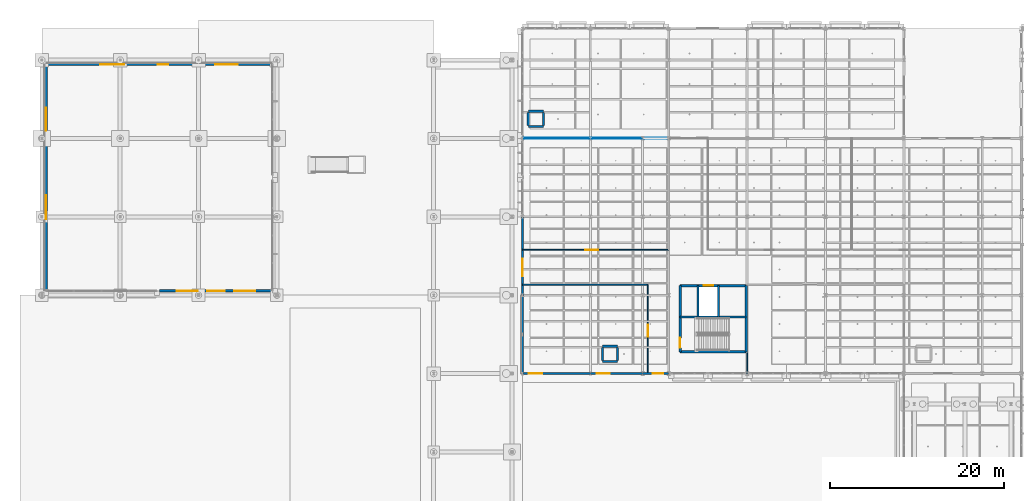
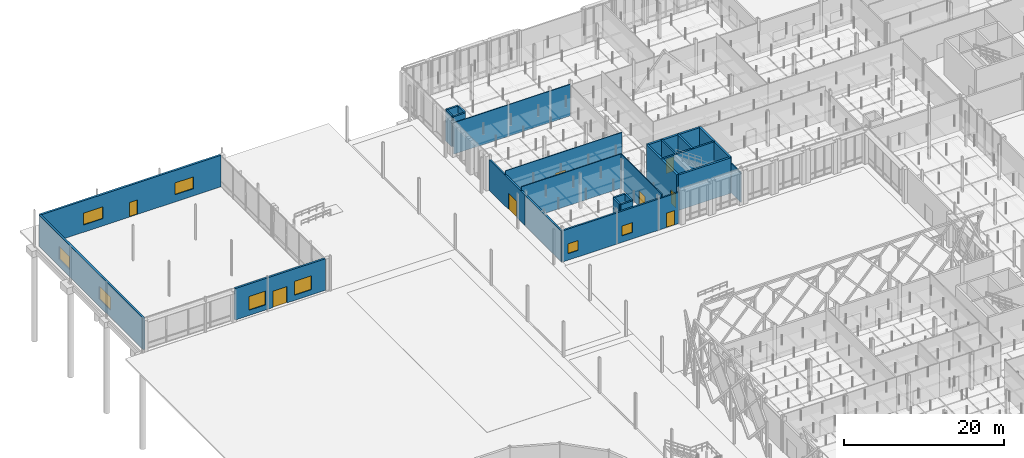
# One storey, part 98 of 180: 28 walls, 8 doors, 8 windows, 16 openings.
"""IFC4 building model written with IfcOpenShell, lengths in metres."""

from ifc_helpers import new_model, si_unit, direction, frame, frame_2d, origin, place, context, subcontext, project, spatial, rectangle, extrude, material, layer, layer_set, type_object, element, fill, save


model = new_model("IFC4")

# Units and contexts
model_context = context("Model", 3, precision=1e-05, world=origin(), true_north=direction((0.0, 1.0)))
body_context = subcontext(model_context, "Body", "Model", "MODEL_VIEW")
ifc_project = project(units=[si_unit("LENGTHUNIT", "METRE"), si_unit("AREAUNIT", "SQUARE_METRE"), si_unit("VOLUMEUNIT", "CUBIC_METRE"), si_unit("PLANEANGLEUNIT", "RADIAN"), si_unit("MASSUNIT", "GRAM", prefix="KILO"), si_unit("THERMODYNAMICTEMPERATUREUNIT", "KELVIN"), si_unit("POWERUNIT", "WATT")], contexts=[model_context])

# Site, building, storey
site_placement = place(None, origin())
site = spatial("IfcSite", under=ifc_project, at=site_placement, CompositionType="ELEMENT")
building_placement = place(site_placement, origin())
building = spatial("IfcBuilding", under=site, at=building_placement, Name="Tallowbark Science Centre", CompositionType="ELEMENT")
storey_placement = place(building_placement, origin())
storey = spatial("IfcBuildingStorey", under=building, at=storey_placement, Name="L00", CompositionType="ELEMENT", Elevation=0.0)

# Wall, opening, door
ifc_material_1 = material(Name="Hawkesbury Sandstone Faced Masonry Cavity Wall", Category="masonry")
ifc_layer_1 = layer(ifc_material_1, 0.22998046875)
ifc_layer_set_1 = layer_set([ifc_layer_1], Name="Hawkesbury Sandstone Faced Masonry Cavity Wall")
wall_type_1 = type_object("IfcWallType", Name="EWL-MAS-230", PredefinedType="STANDARD", material=ifc_layer_set_1)
wall_1_placement = place(storey_placement, frame((69.0, 72.0, 0.0), z_axis=(0.0, 0.0, 1.0), x_axis=(1.0, 0.0, 0.0)))
wall_1 = element("IfcWall", 1, at=wall_1_placement, inside=storey, type_object=wall_type_1, Name="Exterior Wall LAB-S-L00-69", PredefinedType="STANDARD", context=body_context, shape_type="SweptSolid", body=[
    extrude(rectangle(XDim=3.0, YDim=0.22998046875, at=frame_2d((1.5, 0.0))), origin(), (0.0, 0.0, 1.0), 4.74609375),
])
opening_1_placement = place(wall_1_placement, frame((1.14990234375, 0.0, 0.0)))
opening_1 = element("IfcOpeningElement", 2, at=opening_1_placement, cuts=wall_1, Name="Opening ED-06", PredefinedType="OPENING", context=body_context, shape_type="SweptSolid", body=[
    extrude(rectangle(XDim=1.199951171875, YDim=2.199951171875, at=frame_2d((0.60009765625, 1.10009765625))), frame((0.0, 0.125, 0.0), z_axis=(0.0, -1.0, 0.0), x_axis=(1.0, 0.0, 0.0)), (0.0, 0.0, 1.0), 0.25),
])
ifc_material_2 = material(Name="Powdercoated Galvanised Steel Leaf", Category="steel")
door_type_1 = type_object("IfcDoorType", Name="EDR-ESC-120", OperationType="NOTDEFINED", PredefinedType="DOOR", material=ifc_material_2)
door_1_placement = place(opening_1_placement, origin())
door_1 = element("IfcDoor", 3, at=door_1_placement, inside=storey, type_object=door_type_1, Name="Exterior Door EDR-L00-025", OperationType="SINGLE_SWING_LEFT", OverallHeight=2.199951171875, OverallWidth=1.199951171875, PredefinedType="DOOR", context=body_context, shape_type="SweptSolid", body=[
    extrude(rectangle(XDim=1.199951171875, YDim=2.199951171875, at=frame_2d((0.60009765625, 1.10009765625))), frame((0.0, 0.02490234375, 0.0), z_axis=(0.0, -1.0, 0.0), x_axis=(1.0, 0.0, 0.0)), (0.0, 0.0, 1.0), 0.050048828125),
])
fill(opening_1, door_1)

# Wall, opening, window
ifc_material_3 = material(Name="Insulated Precast Concrete Panel Grade N40 (40 MPa)", Category="concrete")
ifc_layer_2 = layer(ifc_material_3, 0.25)
ifc_layer_set_2 = layer_set([ifc_layer_2], Name="Insulated Precast Concrete Panel Grade N40 (40 MPa)")
wall_type_2 = type_object("IfcWallType", Name="EWL-PRC-250", PredefinedType="STANDARD", material=ifc_layer_set_2)
wall_2_placement = place(storey_placement, frame((55.199951171875, 72.0, 0.0), z_axis=(0.0, 0.0, 1.0), x_axis=(1.0, 0.0, 0.0)))
wall_2 = element("IfcWall", 4, at=wall_2_placement, inside=storey, type_object=wall_type_2, Name="Exterior Wall LAB-S-L00-55", PredefinedType="STANDARD", context=body_context, shape_type="SweptSolid", body=[
    extrude(rectangle(XDim=7.800048828125, YDim=0.25, at=frame_2d((3.89990234375, 0.0))), origin(), (0.0, 0.0, 1.0), 4.74609375),
])
opening_2_placement = place(wall_2_placement, frame((0.75, 0.0, 1.0)))
opening_2 = element("IfcOpeningElement", 5, at=opening_2_placement, cuts=wall_2, Name="Opening W-08", PredefinedType="OPENING", context=body_context, shape_type="SweptSolid", body=[
    extrude(rectangle(XDim=1.5, YDim=1.5, at=frame_2d((0.75, 0.75))), frame((0.0, 0.135009765625, 0.0), z_axis=(0.0, -1.0, 0.0), x_axis=(1.0, 0.0, 0.0)), (0.0, 0.0, 1.0), 0.27001953125),
])
ifc_material_4 = material(Name="Thermally Broken Aluminium and Low-E Double Glazing", Category="aluminium")
window_type_1 = type_object("IfcWindowType", Name="WIN-F150x150", PartitioningType="SINGLE_PANEL", PredefinedType="WINDOW", material=ifc_material_4)
window_1_placement = place(opening_2_placement, origin())
window_1 = element("IfcWindow", 6, at=window_1_placement, inside=storey, type_object=window_type_1, Name="Window WIN-L00-0022", OverallHeight=1.5, OverallWidth=1.5, PartitioningType="SINGLE_PANEL", PredefinedType="WINDOW", context=body_context, shape_type="SweptSolid", body=[
    extrude(rectangle(XDim=1.5, YDim=1.5, at=frame_2d((0.75, 0.75))), frame((0.0, 0.030029296875, 0.0), z_axis=(0.0, -1.0, 0.0), x_axis=(1.0, 0.0, 0.0)), (0.0, 0.0, 1.0), 0.06005859375),
])
fill(opening_2, window_1)

wall_3_placement = place(storey_placement, frame((63.0, 72.0, 0.0), z_axis=(0.0, 0.0, 1.0), x_axis=(1.0, 0.0, 0.0)))
wall_3 = element("IfcWall", 7, at=wall_3_placement, inside=storey, type_object=wall_type_2, Name="Exterior Wall LAB-S-L00-63", PredefinedType="STANDARD", context=body_context, shape_type="SweptSolid", body=[
    extrude(rectangle(XDim=6.0, YDim=0.25, at=frame_2d((3.0, 0.0))), origin(), (0.0, 0.0, 1.0), 4.74609375),
])
opening_3_placement = place(wall_3_placement, frame((0.75, 0.0, 1.0)))
opening_3 = element("IfcOpeningElement", 8, at=opening_3_placement, cuts=wall_3, Name="Opening W-08", PredefinedType="OPENING", context=body_context, shape_type="SweptSolid", body=[
    extrude(rectangle(XDim=1.5, YDim=1.5, at=frame_2d((0.75, 0.75))), frame((0.0, 0.135009765625, 0.0), z_axis=(0.0, -1.0, 0.0), x_axis=(1.0, 0.0, 0.0)), (0.0, 0.0, 1.0), 0.27001953125),
])
window_2_placement = place(opening_3_placement, origin())
window_2 = element("IfcWindow", 9, at=window_2_placement, inside=storey, type_object=window_type_1, Name="Window WIN-L00-0023", OverallHeight=1.5, OverallWidth=1.5, PartitioningType="SINGLE_PANEL", PredefinedType="WINDOW", context=body_context, shape_type="SweptSolid", body=[
    extrude(rectangle(XDim=1.5, YDim=1.5, at=frame_2d((0.75, 0.75))), frame((0.0, 0.030029296875, 0.0), z_axis=(0.0, -1.0, 0.0), x_axis=(1.0, 0.0, 0.0)), (0.0, 0.0, 1.0), 0.06005859375),
])
fill(opening_3, window_2)

# Wall
wall_4_placement = place(storey_placement, frame((55.199951171875, 81.0, 0.0), z_axis=(0.0, 0.0, 1.0), x_axis=(0.0, -1.0, 0.0)))
element("IfcWall", 10, at=wall_4_placement, inside=storey, type_object=wall_type_2, Name="Exterior Wall LAB-W-L00-72", PredefinedType="STANDARD", context=body_context, shape_type="SweptSolid", body=[
    extrude(rectangle(XDim=9.0, YDim=0.25, at=frame_2d((4.5, 0.0))), origin(), (0.0, 0.0, 1.0), 4.671875),
])

# Wall, opening, door
wall_5_placement = place(storey_placement, frame((55.199951171875, 90.0, 0.0), z_axis=(0.0, 0.0, 1.0), x_axis=(0.0, -1.0, 0.0)))
wall_5 = element("IfcWall", 11, at=wall_5_placement, inside=storey, type_object=wall_type_2, Name="Exterior Wall LAB-W-L00-81", PredefinedType="STANDARD", context=body_context, shape_type="SweptSolid", body=[
    extrude(rectangle(XDim=9.0, YDim=0.25, at=frame_2d((4.5, 0.0))), origin(), (0.0, 0.0, 1.0), 4.671875),
])
opening_4_placement = place(wall_5_placement, frame((4.800048828125, 0.0, 0.0)))
opening_4 = element("IfcOpeningElement", 12, at=opening_4_placement, cuts=wall_5, Name="Opening ED-02", PredefinedType="OPENING", context=body_context, shape_type="SweptSolid", body=[
    extrude(rectangle(XDim=2.0, YDim=2.5, at=frame_2d((1.0, 1.25))), frame((0.0, 0.135009765625, 0.0), z_axis=(0.0, -1.0, 0.0), x_axis=(1.0, 0.0, 0.0)), (0.0, 0.0, 1.0), 0.27001953125),
])
ifc_material_5 = material(Name="Thermally Broken Glazed Aluminium Frame", Category="aluminium")
door_type_2 = type_object("IfcDoorType", Name="EDR-GLZ-200", OperationType="DOUBLE_DOOR_SINGLE_SWING", PredefinedType="DOOR", material=ifc_material_5)
door_2_placement = place(opening_4_placement, origin())
door_2 = element("IfcDoor", 13, at=door_2_placement, inside=storey, type_object=door_type_2, Name="Exterior Door EDR-L00-027", OperationType="DOUBLE_DOOR_SINGLE_SWING", OverallHeight=2.5, OverallWidth=2.0, PredefinedType="DOOR", context=body_context, shape_type="SweptSolid", body=[
    extrude(rectangle(XDim=2.0, YDim=2.5, at=frame_2d((1.0, 1.25))), frame((0.0, 0.02490234375, 0.0), z_axis=(0.0, -1.0, 0.0), x_axis=(1.0, 0.0, 0.0)), (0.0, 0.0, 1.0), 0.050048828125),
])
fill(opening_4, door_2)

# Wall, openings, door, windows
ifc_material_6 = material(Name="Spotted Gum Glulam and Mineral-Wool Rainscreen Assembly", Category="wood")
ifc_layer_3 = layer(ifc_material_6, 0.280029296875)
ifc_layer_set_3 = layer_set([ifc_layer_3], Name="Spotted Gum Glulam and Mineral-Wool Rainscreen Assembly")
wall_type_3 = type_object("IfcWallType", Name="EWL-TIM-280", PredefinedType="STANDARD", material=ifc_layer_set_3)
wall_6_placement = place(storey_placement, frame((13.5, 81.5, 0.0), z_axis=(0.0, 0.0, 1.0), x_axis=(1.0, 0.0, 0.0)))
wall_6 = element("IfcWall", 14, at=wall_6_placement, inside=storey, type_object=wall_type_3, Name="Exterior Wall PRK-S-2", PredefinedType="STANDARD", context=body_context, shape_type="SweptSolid", body=[
    extrude(rectangle(XDim=13.0, YDim=0.280029296875, at=frame_2d((6.5, 0.0))), origin(), (0.0, 0.0, 1.0), 4.800048828125),
])
opening_5_placement = place(wall_6_placement, frame((2.0, 0.0, 0.800048828125)))
opening_5 = element("IfcOpeningElement", 15, at=opening_5_placement, cuts=wall_6, Name="Opening W-06", PredefinedType="OPENING", context=body_context, shape_type="SweptSolid", body=[
    extrude(rectangle(XDim=2.39990234375, YDim=2.10009765625, at=frame_2d((1.199951171875, 1.050048828125))), frame((0.0, 0.14990234375, 0.0), z_axis=(0.0, -1.0, 0.0), x_axis=(1.0, 0.0, 0.0)), (0.0, 0.0, 1.0), 0.300048828125),
])
opening_6_placement = place(wall_6_placement, frame((8.60009765625, 0.0, 0.800048828125)))
opening_6 = element("IfcOpeningElement", 16, at=opening_6_placement, cuts=wall_6, Name="Opening W-06", PredefinedType="OPENING", context=body_context, shape_type="SweptSolid", body=[
    extrude(rectangle(XDim=2.39990234375, YDim=2.10009765625, at=frame_2d((1.199951171875, 1.050048828125))), frame((0.0, 0.14990234375, 0.0), z_axis=(0.0, -1.0, 0.0), x_axis=(1.0, 0.0, 0.0)), (0.0, 0.0, 1.0), 0.300048828125),
])
opening_7_placement = place(wall_6_placement, frame((5.5, 0.0, 0.0)))
opening_7 = element("IfcOpeningElement", 17, at=opening_7_placement, cuts=wall_6, Name="Opening ED-02", PredefinedType="OPENING", context=body_context, shape_type="SweptSolid", body=[
    extrude(rectangle(XDim=2.0, YDim=2.5, at=frame_2d((1.0, 1.25))), frame((0.0, 0.14990234375, 0.0), z_axis=(0.0, -1.0, 0.0), x_axis=(1.0, 0.0, 0.0)), (0.0, 0.0, 1.0), 0.300048828125),
])
door_3_placement = place(opening_7_placement, origin())
door_3 = element("IfcDoor", 18, at=door_3_placement, inside=storey, type_object=door_type_2, Name="Exterior Door EDR-L00-038", OperationType="DOUBLE_DOOR_SINGLE_SWING", OverallHeight=2.5, OverallWidth=2.0, PredefinedType="DOOR", context=body_context, shape_type="SweptSolid", body=[
    extrude(rectangle(XDim=2.0, YDim=2.5, at=frame_2d((1.0, 1.25))), frame((0.0, 0.02490234375, 0.0), z_axis=(0.0, -1.0, 0.0), x_axis=(1.0, 0.0, 0.0)), (0.0, 0.0, 1.0), 0.050048828125),
])
fill(opening_7, door_3)
window_type_2 = type_object("IfcWindowType", Name="WIN-F240x210", PartitioningType="SINGLE_PANEL", PredefinedType="WINDOW", material=ifc_material_4)
window_3_placement = place(opening_5_placement, origin())
window_3 = element("IfcWindow", 19, at=window_3_placement, inside=storey, type_object=window_type_2, Name="Window WIN-L00-0058", OverallHeight=2.10009765625, OverallWidth=2.39990234375, PartitioningType="SINGLE_PANEL", PredefinedType="WINDOW", context=body_context, shape_type="SweptSolid", body=[
    extrude(rectangle(XDim=2.39990234375, YDim=2.10009765625, at=frame_2d((1.199951171875, 1.050048828125))), frame((0.0, 0.030029296875, 0.0), z_axis=(0.0, -1.0, 0.0), x_axis=(1.0, 0.0, 0.0)), (0.0, 0.0, 1.0), 0.06005859375),
])
fill(opening_5, window_3)
window_4_placement = place(opening_6_placement, origin())
window_4 = element("IfcWindow", 20, at=window_4_placement, inside=storey, type_object=window_type_2, Name="Window WIN-L00-0059", OverallHeight=2.10009765625, OverallWidth=2.39990234375, PartitioningType="SINGLE_PANEL", PredefinedType="WINDOW", context=body_context, shape_type="SweptSolid", body=[
    extrude(rectangle(XDim=2.39990234375, YDim=2.10009765625, at=frame_2d((1.199951171875, 1.050048828125))), frame((0.0, 0.030029296875, 0.0), z_axis=(0.0, -1.0, 0.0), x_axis=(1.0, 0.0, 0.0)), (0.0, 0.0, 1.0), 0.06005859375),
])
fill(opening_6, window_4)

ifc_material_7 = material(Name="Spotted Gum Acoustic Cassette Wall Assembly", Category="wood")
ifc_layer_4 = layer(ifc_material_7, 0.294921875)
ifc_layer_set_4 = layer_set([ifc_layer_4], Name="Spotted Gum Acoustic Cassette Wall Assembly")
wall_type_4 = type_object("IfcWallType", Name="EWL-TIM-295", PredefinedType="STANDARD", material=ifc_layer_set_4)
wall_7_placement = place(storey_placement, frame((26.5, 107.5, 0.0), z_axis=(0.0, 0.0, 1.0), x_axis=(-1.0, 0.0, 0.0)))
wall_7 = element("IfcWall", 21, at=wall_7_placement, inside=storey, type_object=wall_type_4, Name="Exterior Wall PRK-N-1", PredefinedType="STANDARD", context=body_context, shape_type="SweptSolid", body=[
    extrude(rectangle(XDim=26.0, YDim=0.294921875, at=frame_2d((13.0, 0.0))), origin(), (0.0, 0.0, 1.0), 4.800048828125),
])
opening_8_placement = place(wall_7_placement, frame((12.0, 0.0, 0.0)))
opening_8 = element("IfcOpeningElement", 22, at=opening_8_placement, cuts=wall_7, Name="Opening ED-06", PredefinedType="OPENING", context=body_context, shape_type="SweptSolid", body=[
    extrude(rectangle(XDim=1.199951171875, YDim=2.199951171875, at=frame_2d((0.60009765625, 1.10009765625))), frame((0.0, 0.157470703125, 0.0), z_axis=(0.0, -1.0, 0.0), x_axis=(1.0, 0.0, 0.0)), (0.0, 0.0, 1.0), 0.31494140625),
])
opening_9_placement = place(wall_7_placement, frame((4.0, 0.0, 1.10009765625)))
opening_9 = element("IfcOpeningElement", 23, at=opening_9_placement, cuts=wall_7, Name="Opening WS-42", PredefinedType="OPENING", context=body_context, shape_type="SweptSolid", body=[
    extrude(rectangle(XDim=2.60009765625, YDim=1.800048828125, at=frame_2d((1.300048828125, 0.89990234375))), frame((0.0, 0.157470703125, 0.0), z_axis=(0.0, -1.0, 0.0), x_axis=(1.0, 0.0, 0.0)), (0.0, 0.0, 1.0), 0.31494140625),
])
opening_10_placement = place(wall_7_placement, frame((17.0, 0.0, 1.10009765625)))
opening_10 = element("IfcOpeningElement", 24, at=opening_10_placement, cuts=wall_7, Name="Opening WS-43", PredefinedType="OPENING", context=body_context, shape_type="SweptSolid", body=[
    extrude(rectangle(XDim=2.800048828125, YDim=1.800048828125, at=frame_2d((1.39990234375, 0.89990234375))), frame((0.0, 0.157470703125, 0.0), z_axis=(0.0, -1.0, 0.0), x_axis=(1.0, 0.0, 0.0)), (0.0, 0.0, 1.0), 0.31494140625),
])
door_4_placement = place(opening_8_placement, origin())
door_4 = element("IfcDoor", 25, at=door_4_placement, inside=storey, type_object=door_type_1, Name="Exterior Door XOP-11", OperationType="SINGLE_SWING_LEFT", OverallHeight=2.199951171875, OverallWidth=1.199951171875, PredefinedType="DOOR", context=body_context, shape_type="SweptSolid", body=[
    extrude(rectangle(XDim=1.199951171875, YDim=2.199951171875, at=frame_2d((0.60009765625, 1.10009765625))), frame((0.0, 0.02490234375, 0.0), z_axis=(0.0, -1.0, 0.0), x_axis=(1.0, 0.0, 0.0)), (0.0, 0.0, 1.0), 0.050048828125),
])
fill(opening_8, door_4)
window_type_3 = type_object("IfcWindowType", Name="WIN-SP-260x180", PartitioningType="SINGLE_PANEL", PredefinedType="WINDOW", material=ifc_material_4)
window_5_placement = place(opening_9_placement, origin())
window_5 = element("IfcWindow", 26, at=window_5_placement, inside=storey, type_object=window_type_3, Name="Acoustic Window WSP-42", OverallHeight=1.800048828125, OverallWidth=2.60009765625, PartitioningType="SINGLE_PANEL", PredefinedType="WINDOW", context=body_context, shape_type="SweptSolid", body=[
    extrude(rectangle(XDim=2.60009765625, YDim=1.800048828125, at=frame_2d((1.300048828125, 0.89990234375))), frame((0.0, 0.030029296875, 0.0), z_axis=(0.0, -1.0, 0.0), x_axis=(1.0, 0.0, 0.0)), (0.0, 0.0, 1.0), 0.06005859375),
])
fill(opening_9, window_5)
window_type_4 = type_object("IfcWindowType", Name="WIN-SP-280x180", PartitioningType="SINGLE_PANEL", PredefinedType="WINDOW", material=ifc_material_4)
window_6_placement = place(opening_10_placement, origin())
window_6 = element("IfcWindow", 27, at=window_6_placement, inside=storey, type_object=window_type_4, Name="Acoustic Window WSP-43", OverallHeight=1.800048828125, OverallWidth=2.800048828125, PartitioningType="SINGLE_PANEL", PredefinedType="WINDOW", context=body_context, shape_type="SweptSolid", body=[
    extrude(rectangle(XDim=2.800048828125, YDim=1.800048828125, at=frame_2d((1.39990234375, 0.89990234375))), frame((0.0, 0.030029296875, 0.0), z_axis=(0.0, -1.0, 0.0), x_axis=(1.0, 0.0, 0.0)), (0.0, 0.0, 1.0), 0.06005859375),
])
fill(opening_10, window_6)

# Wall, openings, windows
wall_8_placement = place(storey_placement, frame((0.5, 107.5, 0.0), z_axis=(0.0, 0.0, 1.0), x_axis=(0.0, -1.0, 0.0)))
wall_8 = element("IfcWall", 28, at=wall_8_placement, inside=storey, type_object=wall_type_4, Name="Exterior Wall PRK-W-1", PredefinedType="STANDARD", context=body_context, shape_type="SweptSolid", body=[
    extrude(rectangle(XDim=26.0, YDim=0.294921875, at=frame_2d((13.0, 0.0))), origin(), (0.0, 0.0, 1.0), 4.800048828125),
])
opening_11_placement = place(wall_8_placement, frame((5.0, 0.0, 1.10009765625)))
opening_11 = element("IfcOpeningElement", 29, at=opening_11_placement, cuts=wall_8, Name="Opening WS-44", PredefinedType="OPENING", context=body_context, shape_type="SweptSolid", body=[
    extrude(rectangle(XDim=2.60009765625, YDim=1.949951171875, at=frame_2d((1.300048828125, 0.97509765625))), frame((0.0, 0.157470703125, 0.0), z_axis=(0.0, -1.0, 0.0), x_axis=(1.0, 0.0, 0.0)), (0.0, 0.0, 1.0), 0.31494140625),
])
opening_12_placement = place(wall_8_placement, frame((15.0, 0.0, 1.10009765625)))
opening_12 = element("IfcOpeningElement", 30, at=opening_12_placement, cuts=wall_8, Name="Opening WS-45", PredefinedType="OPENING", context=body_context, shape_type="SweptSolid", body=[
    extrude(rectangle(XDim=2.800048828125, YDim=1.949951171875, at=frame_2d((1.39990234375, 0.97509765625))), frame((0.0, 0.157470703125, 0.0), z_axis=(0.0, -1.0, 0.0), x_axis=(1.0, 0.0, 0.0)), (0.0, 0.0, 1.0), 0.31494140625),
])
window_type_5 = type_object("IfcWindowType", Name="WIN-SP-260x195", PartitioningType="SINGLE_PANEL", PredefinedType="WINDOW", material=ifc_material_4)
window_7_placement = place(opening_11_placement, origin())
window_7 = element("IfcWindow", 31, at=window_7_placement, inside=storey, type_object=window_type_5, Name="Acoustic Window WSP-44", OverallHeight=1.949951171875, OverallWidth=2.60009765625, PartitioningType="SINGLE_PANEL", PredefinedType="WINDOW", context=body_context, shape_type="SweptSolid", body=[
    extrude(rectangle(XDim=2.60009765625, YDim=1.949951171875, at=frame_2d((1.300048828125, 0.97509765625))), frame((0.0, 0.030029296875, 0.0), z_axis=(0.0, -1.0, 0.0), x_axis=(1.0, 0.0, 0.0)), (0.0, 0.0, 1.0), 0.06005859375),
])
fill(opening_11, window_7)
window_type_6 = type_object("IfcWindowType", Name="WIN-SP-280x195", PartitioningType="SINGLE_PANEL", PredefinedType="WINDOW", material=ifc_material_4)
window_8_placement = place(opening_12_placement, origin())
window_8 = element("IfcWindow", 32, at=window_8_placement, inside=storey, type_object=window_type_6, Name="Acoustic Window WSP-45", OverallHeight=1.949951171875, OverallWidth=2.800048828125, PartitioningType="SINGLE_PANEL", PredefinedType="WINDOW", context=body_context, shape_type="SweptSolid", body=[
    extrude(rectangle(XDim=2.800048828125, YDim=1.949951171875, at=frame_2d((1.39990234375, 0.97509765625))), frame((0.0, 0.030029296875, 0.0), z_axis=(0.0, -1.0, 0.0), x_axis=(1.0, 0.0, 0.0)), (0.0, 0.0, 1.0), 0.06005859375),
])
fill(opening_12, window_8)

# Wall, opening, door
ifc_material_8 = material(Name="132 mm Acoustic Laboratory Steel Stud Partition", Category="steel")
ifc_layer_5 = layer(ifc_material_8, 0.132080078125)
ifc_layer_set_5 = layer_set([ifc_layer_5], Name="132 mm Acoustic Laboratory Steel Stud Partition")
wall_type_5 = type_object("IfcWallType", Name="PTW-132", PredefinedType="PARTITIONING", material=ifc_layer_set_5)
wall_9_placement = place(storey_placement, frame((69.60009765625, 72.0, 0.0), z_axis=(0.0, 0.0, 1.0), x_axis=(0.0, 1.0, 0.0)))
wall_9 = element("IfcWall", 33, at=wall_9_placement, inside=storey, type_object=wall_type_5, Name="Interior Partition PTW-L00-0117", PredefinedType="PARTITIONING", context=body_context, shape_type="SweptSolid", body=[
    extrude(rectangle(XDim=10.199951171875, YDim=0.132080078125, at=frame_2d((5.10009765625, 0.0))), origin(), (0.0, 0.0, 1.0), 5.219970703125),
])
opening_13_placement = place(wall_9_placement, frame((4.199951171875, 0.0, 0.0)))
opening_13 = element("IfcOpeningElement", 34, at=opening_13_placement, cuts=wall_9, Name="Opening DS-44", PredefinedType="OPENING", context=body_context, shape_type="SweptSolid", body=[
    extrude(rectangle(XDim=1.419921875, YDim=2.324951171875, at=frame_2d((0.7099609375, 1.16259765625))), frame((0.0, 0.076171875, 0.0), z_axis=(0.0, -1.0, 0.0), x_axis=(1.0, 0.0, 0.0)), (0.0, 0.0, 1.0), 0.152099609375),
])
ifc_material_9 = material(Name="Vision-Panel Leaf and Unequal Side Leaf")
door_type_3 = type_object("IfcDoorType", Name="IDR-LAB-140-S44", OperationType="DOUBLE_DOOR_SINGLE_SWING", PredefinedType="DOOR", material=ifc_material_9)
door_5_placement = place(opening_13_placement, origin())
door_5 = element("IfcDoor", 35, at=door_5_placement, inside=storey, type_object=door_type_3, Name="Interior Door IDR-L00-0044", OperationType="DOUBLE_DOOR_SINGLE_SWING", OverallHeight=2.324951171875, OverallWidth=1.419921875, PredefinedType="DOOR", context=body_context, shape_type="SweptSolid", body=[
    extrude(rectangle(XDim=1.419921875, YDim=2.324951171875, at=frame_2d((0.7099609375, 1.16259765625))), frame((0.0, 0.02490234375, 0.0), z_axis=(0.0, -1.0, 0.0), x_axis=(1.0, 0.0, 0.0)), (0.0, 0.0, 1.0), 0.050048828125),
])
fill(opening_13, door_5)

# Walls
wall_10_placement = place(storey_placement, frame((55.199951171875, 82.199951171875, 0.0), z_axis=(0.0, 0.0, 1.0), x_axis=(1.0, 0.0, 0.0)))
element("IfcWall", 36, at=wall_10_placement, inside=storey, type_object=wall_type_5, Name="Interior Partition PTW-L00-0118", PredefinedType="PARTITIONING", context=body_context, shape_type="SweptSolid", body=[
    extrude(rectangle(XDim=14.400146484375, YDim=0.132080078125, at=frame_2d((7.2001953125, 0.0))), origin(), (0.0, 0.0, 1.0), 5.219970703125),
])
wall_11_placement = place(storey_placement, frame((81.0, 72.0, 0.0), z_axis=(0.0, 0.0, 1.0), x_axis=(0.0, 1.0, 0.0)))
element("IfcWall", 37, at=wall_11_placement, inside=storey, type_object=wall_type_5, Name="Interior Partition PTW-L00-0119", PredefinedType="PARTITIONING", context=body_context, shape_type="SweptSolid", body=[
    extrude(rectangle(XDim=2.39990234375, YDim=0.132080078125, at=frame_2d((1.199951171875, 0.0))), origin(), (0.0, 0.0, 1.0), 4.5),
])

# Wall, opening, door
ifc_material_10 = material(Name="108 mm Acoustic Double-Glazed Laboratory Partition")
ifc_layer_6 = layer(ifc_material_10, 0.10791015625)
ifc_layer_set_6 = layer_set([ifc_layer_6], Name="108 mm Acoustic Double-Glazed Laboratory Partition")
wall_type_6 = type_object("IfcWallType", Name="PTW-GLZ-108", PredefinedType="PARTITIONING", material=ifc_layer_set_6)
wall_12_placement = place(storey_placement, frame((55.199951171875, 86.199951171875, 0.0), z_axis=(0.0, 0.0, 1.0), x_axis=(1.0, 0.0, 0.0)))
wall_12 = element("IfcWall", 38, at=wall_12_placement, inside=storey, type_object=wall_type_6, Name="Interior Partition PTW-L00-0122", PredefinedType="PARTITIONING", context=body_context, shape_type="SweptSolid", body=[
    extrude(rectangle(XDim=16.800048828125, YDim=0.10791015625, at=frame_2d((8.39990234375, 0.0))), origin(), (0.0, 0.0, 1.0), 5.219970703125),
])
opening_14_placement = place(wall_12_placement, frame((7.199951171875, 0.0, 0.0)))
opening_14 = element("IfcOpeningElement", 39, at=opening_14_placement, cuts=wall_12, Name="Opening DS-47", PredefinedType="OPENING", context=body_context, shape_type="SweptSolid", body=[
    extrude(rectangle(XDim=1.47998046875, YDim=2.324951171875, at=frame_2d((0.739990234375, 1.16259765625))), frame((0.0, 0.06396484375, 0.0), z_axis=(0.0, -1.0, 0.0), x_axis=(1.0, 0.0, 0.0)), (0.0, 0.0, 1.0), 0.1279296875),
])
door_type_4 = type_object("IfcDoorType", Name="IDR-LAB-140-S47", OperationType="DOUBLE_DOOR_SINGLE_SWING", PredefinedType="DOOR", material=ifc_material_9)
door_6_placement = place(opening_14_placement, origin())
door_6 = element("IfcDoor", 40, at=door_6_placement, inside=storey, type_object=door_type_4, Name="Interior Door IDR-L00-0047", OperationType="DOUBLE_DOOR_SINGLE_SWING", OverallHeight=2.324951171875, OverallWidth=1.47998046875, PredefinedType="DOOR", context=body_context, shape_type="SweptSolid", body=[
    extrude(rectangle(XDim=1.47998046875, YDim=2.324951171875, at=frame_2d((0.739990234375, 1.16259765625))), frame((0.0, 0.02490234375, 0.0), z_axis=(0.0, -1.0, 0.0), x_axis=(1.0, 0.0, 0.0)), (0.0, 0.0, 1.0), 0.050048828125),
])
fill(opening_14, door_6)

# Wall
wall_13_placement = place(storey_placement, frame((55.199951171875, 99.0, 0.0), z_axis=(0.0, 0.0, 1.0), x_axis=(1.0, 0.0, 0.0)))
element("IfcWall", 41, at=wall_13_placement, inside=storey, type_object=wall_type_6, Name="Interior Partition PTW-L00-0128", PredefinedType="PARTITIONING", context=body_context, shape_type="SweptSolid", body=[
    extrude(rectangle(XDim=16.800048828125, YDim=0.10791015625, at=frame_2d((8.39990234375, 0.0))), origin(), (0.0, 0.0, 1.0), 4.793701171875),
])

# Wall, opening, door
ifc_material_11 = material(Name="Concrete Grade N40 (40 MPa)", Category="concrete")
ifc_layer_7 = layer(ifc_material_11, 0.300048828125)
ifc_layer_set_7 = layer_set([ifc_layer_7], Name="Concrete Grade N40 (40 MPa)")
wall_type_7 = type_object("IfcWallType", Name="WL-CORE-300", PredefinedType="SHEAR", material=ifc_layer_set_7)
wall_14_placement = place(storey_placement, frame((73.300048828125, 74.5, 0.0), z_axis=(0.0, 0.0, 1.0), x_axis=(0.0, 1.0, 0.0)))
wall_14 = element("IfcWall", 42, at=wall_14_placement, inside=storey, type_object=wall_type_7, Name="Core C1 Shear Wall L00 W", PredefinedType="SHEAR", context=body_context, shape_type="SweptSolid", body=[
    extrude(rectangle(XDim=7.60009765625, YDim=0.300048828125, at=frame_2d((3.800048828125, 0.0))), origin(), (0.0, 0.0, 1.0), 5.39990234375),
])
opening_15_placement = place(wall_14_placement, frame((0.449951171875, 0.0, 0.0)))
opening_15 = element("IfcOpeningElement", 43, at=opening_15_placement, cuts=wall_14, Name="Opening FD-01", PredefinedType="OPENING", context=body_context, shape_type="SweptSolid", body=[
    extrude(rectangle(XDim=1.14990234375, YDim=2.14990234375, at=frame_2d((0.574951171875, 1.074951171875))), frame((0.0, 0.16015625, 0.0), z_axis=(0.0, -1.0, 0.0), x_axis=(1.0, 0.0, 0.0)), (0.0, 0.0, 1.0), 0.320068359375),
])
ifc_material_12 = material(Name="Fire-Rated Pressed Steel Frame and Solid Core Leaf", Category="steel")
door_type_5 = type_object("IfcDoorType", Name="FDR-STR-115", OperationType="NOTDEFINED", PredefinedType="DOOR", material=ifc_material_12)
door_7_placement = place(opening_15_placement, origin())
door_7 = element("IfcDoor", 44, at=door_7_placement, inside=storey, type_object=door_type_5, Name="Stair ST-01 Fire Door L00", OperationType="SINGLE_SWING_RIGHT", OverallHeight=2.14990234375, OverallWidth=1.14990234375, PredefinedType="DOOR", context=body_context, shape_type="SweptSolid", body=[
    extrude(rectangle(XDim=1.14990234375, YDim=2.14990234375, at=frame_2d((0.574951171875, 1.074951171875))), frame((0.0, 0.02490234375, 0.0), z_axis=(0.0, -1.0, 0.0), x_axis=(1.0, 0.0, 0.0)), (0.0, 0.0, 1.0), 0.050048828125),
])
fill(opening_15, door_7)

# Walls
wall_15_placement = place(storey_placement, frame((80.89990234375, 74.5, 0.0), z_axis=(0.0, 0.0, 1.0), x_axis=(0.0, 1.0, 0.0)))
element("IfcWall", 45, at=wall_15_placement, inside=storey, type_object=wall_type_7, Name="Core C1 Shear Wall L00 E", PredefinedType="SHEAR", context=body_context, shape_type="SweptSolid", body=[
    extrude(rectangle(XDim=7.60009765625, YDim=0.300048828125, at=frame_2d((3.800048828125, 0.0))), origin(), (0.0, 0.0, 1.0), 5.39990234375),
])
wall_16_placement = place(storey_placement, frame((73.300048828125, 74.5, 0.0), z_axis=(0.0, 0.0, 1.0), x_axis=(1.0, 0.0, 0.0)))
element("IfcWall", 46, at=wall_16_placement, inside=storey, type_object=wall_type_7, Name="Core C1 Shear Wall L00 S", PredefinedType="SHEAR", context=body_context, shape_type="SweptSolid", body=[
    extrude(rectangle(XDim=7.599853515625, YDim=0.300048828125, at=frame_2d((3.7998046875, 0.0))), origin(), (0.0, 0.0, 1.0), 5.39990234375),
])

# Wall, opening, door
wall_17_placement = place(storey_placement, frame((73.300048828125, 82.10009765625, 0.0), z_axis=(0.0, 0.0, 1.0), x_axis=(1.0, 0.0, 0.0)))
wall_17 = element("IfcWall", 47, at=wall_17_placement, inside=storey, type_object=wall_type_7, Name="Core C1 Shear Wall L00 N", PredefinedType="SHEAR", context=body_context, shape_type="SweptSolid", body=[
    extrude(rectangle(XDim=7.599853515625, YDim=0.300048828125, at=frame_2d((3.7998046875, 0.0))), origin(), (0.0, 0.0, 1.0), 5.39990234375),
])
opening_16_placement = place(wall_17_placement, frame((2.699951171875, 0.0, 0.0)))
opening_16 = element("IfcOpeningElement", 48, at=opening_16_placement, cuts=wall_17, Name="Opening LD-01", PredefinedType="OPENING", context=body_context, shape_type="SweptSolid", body=[
    extrude(rectangle(XDim=1.10009765625, YDim=2.199951171875, at=frame_2d((0.550048828125, 1.10009765625))), frame((0.0, 0.16015625, 0.0), z_axis=(0.0, -1.0, 0.0), x_axis=(1.0, 0.0, 0.0)), (0.0, 0.0, 1.0), 0.320068359375),
])
ifc_material_13 = material(Name="Brushed Stainless Steel Centre-Parting Lift Landing Door", Category="steel")
door_type_6 = type_object("IfcDoorType", Name="LDR-LFT-110", OperationType="DOUBLE_DOOR_SLIDING", PredefinedType="DOOR", material=ifc_material_13)
door_8_placement = place(opening_16_placement, origin())
door_8 = element("IfcDoor", 49, at=door_8_placement, inside=storey, type_object=door_type_6, Name="Lift LF-01 Landing Door L00", OperationType="DOUBLE_DOOR_SLIDING", OverallHeight=2.199951171875, OverallWidth=1.10009765625, PredefinedType="DOOR", context=body_context, shape_type="SweptSolid", body=[
    extrude(rectangle(XDim=1.10009765625, YDim=2.199951171875, at=frame_2d((0.550048828125, 1.10009765625))), frame((0.0, 0.02490234375, 0.0), z_axis=(0.0, -1.0, 0.0), x_axis=(1.0, 0.0, 0.0)), (0.0, 0.0, 1.0), 0.050048828125),
])
fill(opening_16, door_8)

# Walls
ifc_layer_8 = layer(ifc_material_11, 0.25)
ifc_layer_set_8 = layer_set([ifc_layer_8], Name="Concrete Grade N40 (40 MPa)")
wall_type_8 = type_object("IfcWallType", Name="WL-SHAFT-250", PredefinedType="SHEAR", material=ifc_layer_set_8)
wall_18_placement = place(storey_placement, frame((73.300048828125, 78.4951171875, 0.0), z_axis=(0.0, 0.0, 1.0), x_axis=(1.0, 0.0, 0.0)))
element("IfcWall", 50, at=wall_18_placement, inside=storey, type_object=wall_type_8, Name="Core C1 Shear Wall L00 MID", PredefinedType="SHEAR", context=body_context, shape_type="SweptSolid", body=[
    extrude(rectangle(XDim=7.599853515625, YDim=0.25, at=frame_2d((3.7998046875, 0.0))), origin(), (0.0, 0.0, 1.0), 5.39990234375),
])
for number, where, z_axis, x_axis, name in (
    (51, (75.375, 78.4951171875, 0.0), (0.0, 0.0, 1.0), (0.0, 1.0, 0.0), "Core C1 Shear Wall L00 LW"),
    (52, (77.72509765625, 78.4951171875, 0.0), (0.0, 0.0, 1.0), (0.0, 1.0, 0.0), "Core C1 Shear Wall L00 LE"),
):
    element("IfcWall", number, at=place(storey_placement, frame(where, z_axis=z_axis, x_axis=x_axis)), inside=storey, type_object=wall_type_8, Name=name, PredefinedType="SHEAR", context=body_context, shape_type="SweptSolid", body=[
        extrude(rectangle(XDim=3.60498046875, YDim=0.25, at=frame_2d((1.802490234375, 0.0))), origin(), (0.0, 0.0, 1.0), 5.39990234375),
    ])
for number, where, z_axis, x_axis, name in (
    (53, (55.89990234375, 100.375, 0.0), (0.0, 0.0, 1.0), (1.0, 0.0, 0.0), "Service Riser Shaft Wall RSR-CAF L00 S"),
    (54, (55.89990234375, 102.125, 0.0), (0.0, 0.0, 1.0), (1.0, 0.0, 0.0), "Service Riser Shaft Wall RSR-CAF L00 N"),
):
    element("IfcWall", number, at=place(storey_placement, frame(where, z_axis=z_axis, x_axis=x_axis)), inside=storey, type_object=wall_type_8, Name=name, PredefinedType="SHEAR", context=body_context, shape_type="SweptSolid", body=[
        extrude(rectangle(XDim=1.7001953125, YDim=0.25, at=frame_2d((0.85009765625, 0.0))), origin(), (0.0, 0.0, 1.0), 4.669921875),
    ])
for number, where, z_axis, x_axis, name in (
    (55, (55.875, 100.5, 0.0), (0.0, 0.0, 1.0), (0.0, 1.0, 0.0), "Service Riser Shaft Wall RSR-CAF L00 W"),
    (56, (57.625, 100.5, 0.0), (0.0, 0.0, 1.0), (0.0, 1.0, 0.0), "Service Riser Shaft Wall RSR-CAF L00 E"),
):
    element("IfcWall", number, at=place(storey_placement, frame(where, z_axis=z_axis, x_axis=x_axis)), inside=storey, type_object=wall_type_8, Name=name, PredefinedType="SHEAR", context=body_context, shape_type="SweptSolid", body=[
        extrude(rectangle(XDim=1.5, YDim=0.25, at=frame_2d((0.75, 0.0))), origin(), (0.0, 0.0, 1.0), 4.669921875),
    ])
for number, where, z_axis, x_axis, name in (
    (57, (64.39990234375, 73.375, 0.0), (0.0, 0.0, 1.0), (1.0, 0.0, 0.0), "Service Riser Shaft Wall RSR-LAB-W L00 S"),
    (58, (64.39990234375, 75.125, 0.0), (0.0, 0.0, 1.0), (1.0, 0.0, 0.0), "Service Riser Shaft Wall RSR-LAB-W L00 N"),
):
    element("IfcWall", number, at=place(storey_placement, frame(where, z_axis=z_axis, x_axis=x_axis)), inside=storey, type_object=wall_type_8, Name=name, PredefinedType="SHEAR", context=body_context, shape_type="SweptSolid", body=[
        extrude(rectangle(XDim=1.7001953125, YDim=0.25, at=frame_2d((0.85009765625, 0.0))), origin(), (0.0, 0.0, 1.0), 4.669921875),
    ])
for number, where, z_axis, x_axis, name in (
    (59, (64.375, 73.5, 0.0), (0.0, 0.0, 1.0), (0.0, 1.0, 0.0), "Service Riser Shaft Wall RSR-LAB-W L00 W"),
    (60, (66.125, 73.5, 0.0), (0.0, 0.0, 1.0), (0.0, 1.0, 0.0), "Service Riser Shaft Wall RSR-LAB-W L00 E"),
):
    element("IfcWall", number, at=place(storey_placement, frame(where, z_axis=z_axis, x_axis=x_axis)), inside=storey, type_object=wall_type_8, Name=name, PredefinedType="SHEAR", context=body_context, shape_type="SweptSolid", body=[
        extrude(rectangle(XDim=1.5, YDim=0.25, at=frame_2d((0.75, 0.0))), origin(), (0.0, 0.0, 1.0), 4.669921875),
    ])

save(model, "model.ifc")
